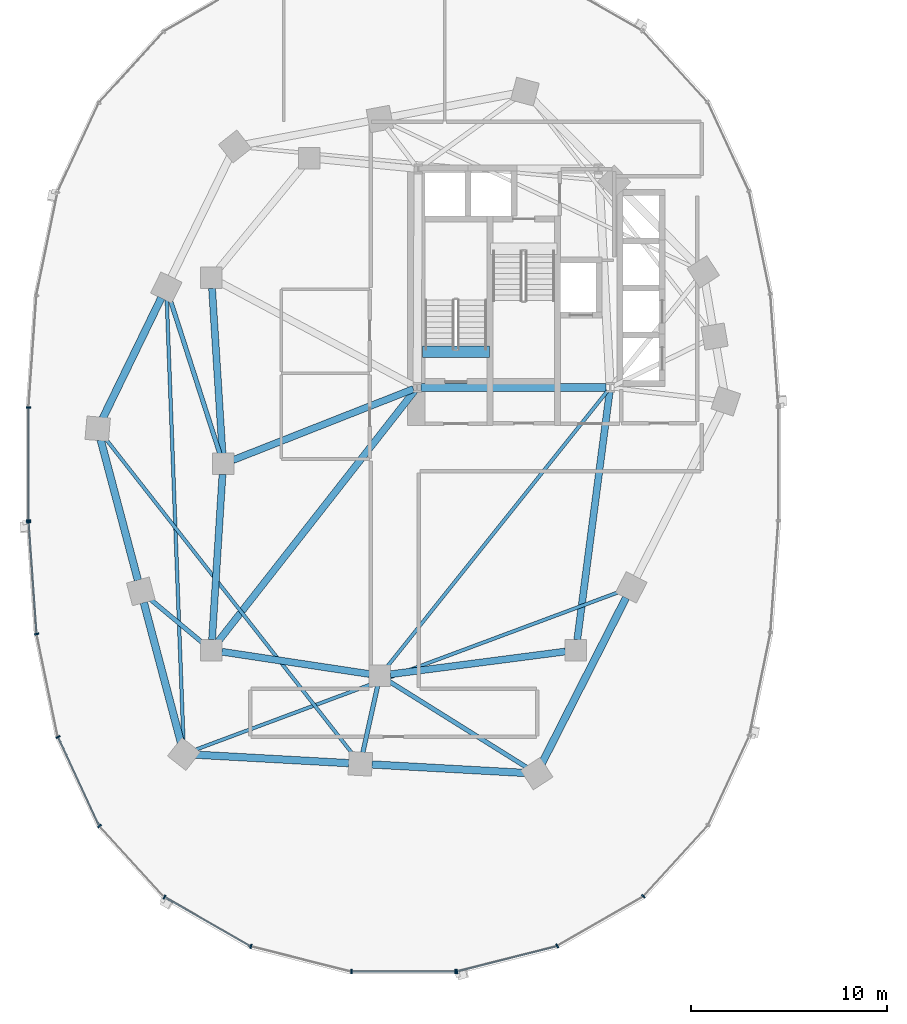
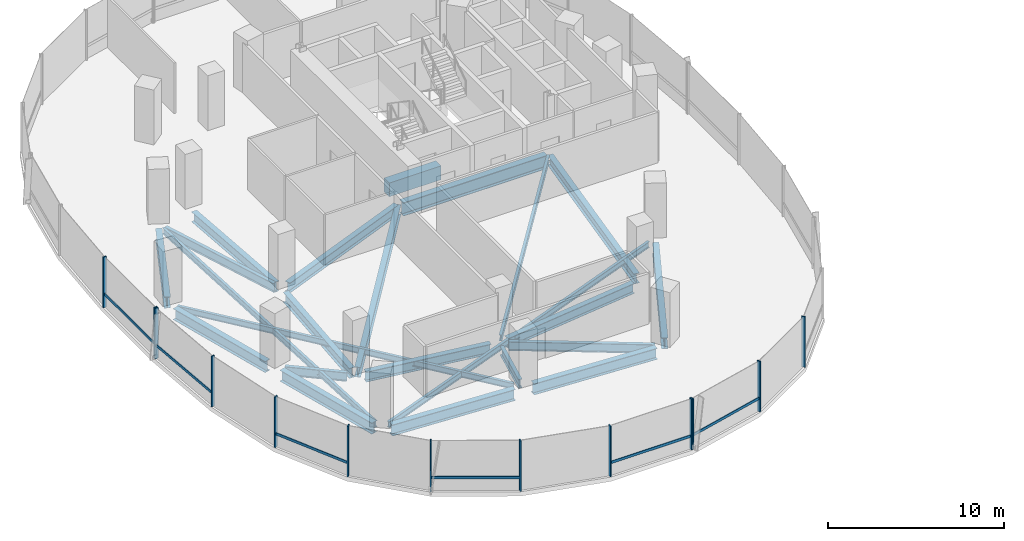
# One storey, part 2 of 21: 23 beams, 19 members, 3 elements without a shape of their own.
"""IFC4 building model written with IfcOpenShell, lengths in metres."""

from ifc_helpers import new_model, si_unit, direction, frame, origin, origin_2d, place, context, subcontext, project, spatial, rectangle, i_section, extrude, material, material_profile, profile_set, type_object, element, aggregate, save


model = new_model("IFC4")

# Units and contexts
model_context = context("Model", 3, precision=1e-05, world=origin(), true_north=direction((0.0, 1.0)))
body_context = subcontext(model_context, "Body", "Model", "MODEL_VIEW")
ifc_project = project(units=[si_unit("LENGTHUNIT", "METRE"), si_unit("AREAUNIT", "SQUARE_METRE"), si_unit("VOLUMEUNIT", "CUBIC_METRE"), si_unit("PLANEANGLEUNIT", "RADIAN"), si_unit("MASSUNIT", "GRAM", prefix="KILO"), si_unit("THERMODYNAMICTEMPERATUREUNIT", "KELVIN"), si_unit("POWERUNIT", "WATT")], contexts=[model_context])

# Site, building, storey
site_placement = place(None, origin())
site = spatial("IfcSite", under=ifc_project, at=site_placement, CompositionType="ELEMENT")
building_placement = place(site_placement, origin())
building = spatial("IfcBuilding", under=site, at=building_placement, Name="Cundina Bronze Exchange", CompositionType="ELEMENT")
storey_placement = place(building_placement, frame((0.0, 0.0, 69.60009765625)))
storey = spatial("IfcBuildingStorey", under=building, at=storey_placement, Name="L17", CompositionType="ELEMENT", Elevation=69.60009765625)

# Beams
ifc_material_1 = material(Name="Concrete C60/75", Category="concrete")
ifc_material_profile_1 = material_profile(ifc_material_1, rectangle(XDim=0.60009765625, YDim=0.949951171875, at=origin_2d()), Name="RC600X950", Category="concrete")
ifc_profile_set_1 = profile_set([ifc_material_profile_1], Name="Concrete C60/75")
beam_type_1 = type_object("IfcBeamType", Name="BM-COUP-RC950", PredefinedType="LINTEL", material=ifc_profile_set_1)
beam_1_placement = place(storey_placement, frame((-31.02001953125, 5.719970703125, -0.47509765625), z_axis=(1.0, 0.0, 0.0), x_axis=(0.0, 1.0, 0.0)))
element("IfcBeam", 1, at=beam_1_placement, inside=storey, type_object=beam_type_1, Name="L17 Stair W1 Landing Header Beam", PredefinedType="LINTEL", context=body_context, shape_type="SweptSolid", body=[
    extrude(rectangle(XDim=0.60009765625, YDim=0.949951171875, at=origin_2d()), origin(), (0.0, 0.0, 1.0), 3.39990234375),
])
ifc_material_2 = material(Name="Steel ASTM A992 Grade 50", Category="steel")
ifc_material_profile_2 = material_profile(ifc_material_2, i_section(OverallWidth=0.22998046875, OverallDepth=0.616943359375, WebThickness=0.01318359375, FlangeThickness=0.022216796875, FilletRadius=0.013916015625, at=origin_2d()), Name="W24X94", Category="steel")
ifc_profile_set_2 = profile_set([ifc_material_profile_2], Name="Steel ASTM A992 Grade 50")
beam_type_2 = type_object("IfcBeamType", Name="BM-FLR-W24B", PredefinedType="BEAM", material=ifc_profile_set_2)
beam_2_placement = place(storey_placement, frame((-41.364990234375, 0.51220703125, -0.608642578125), z_axis=(-0.306706454167, 0.951804155787, 0.0), x_axis=(-0.951804155787, -0.306706454167, 0.0)))
element("IfcBeam", 2, at=beam_2_placement, inside=storey, type_object=beam_type_2, Name="L17 Leg W Radial Floor Beam 07", PredefinedType="BEAM", context=body_context, shape_type="SweptSolid", body=[
    extrude(i_section(OverallWidth=0.22998046875, OverallDepth=0.616943359375, WebThickness=0.01318359375, FlangeThickness=0.022216796875, FilletRadius=0.013916015625, at=origin_2d()), origin(), (0.0, 0.0, 1.0), 8.329345703125),
])
beam_3_placement = place(storey_placement, frame((-42.21337890625, -9.155517578125, -0.608642578125), z_axis=(-0.768221279597, 0.640184399664, 0.0), x_axis=(-0.640184399664, -0.768221279597, 0.0)))
element("IfcBeam", 3, at=beam_3_placement, inside=storey, type_object=beam_type_2, Name="L17 Leg W Radial Floor Beam 09", PredefinedType="BEAM", context=body_context, shape_type="SweptSolid", body=[
    extrude(i_section(OverallWidth=0.22998046875, OverallDepth=0.616943359375, WebThickness=0.01318359375, FlangeThickness=0.022216796875, FilletRadius=0.013916015625, at=origin_2d()), origin(), (0.0, 0.0, 1.0), 3.56005859375),
])
beam_4_placement = place(storey_placement, frame((-33.316650390625, -11.3251953125, -0.608642578125), z_axis=(-0.216960137628, -0.976180464197, 0.0), x_axis=(0.976180464197, -0.216960137628, 0.0)))
element("IfcBeam", 4, at=beam_4_placement, inside=storey, type_object=beam_type_2, Name="L17 Leg W Radial Floor Beam 11", PredefinedType="BEAM", context=body_context, shape_type="SweptSolid", body=[
    extrude(i_section(OverallWidth=0.22998046875, OverallDepth=0.616943359375, WebThickness=0.01318359375, FlangeThickness=0.022216796875, FilletRadius=0.013916015625, at=origin_2d()), origin(), (0.0, 0.0, 1.0), 3.48388671875),
])
beam_5_placement = place(storey_placement, frame((-32.743896484375, -11.085205078125, -0.608642578125), z_axis=(0.848014812458, -0.529972525563, 0.0), x_axis=(0.529972525563, 0.848014812458, 0.0)))
element("IfcBeam", 5, at=beam_5_placement, inside=storey, type_object=beam_type_2, Name="L17 Leg W Radial Floor Beam 12", PredefinedType="BEAM", context=body_context, shape_type="SweptSolid", body=[
    extrude(i_section(OverallWidth=0.22998046875, OverallDepth=0.616943359375, WebThickness=0.01318359375, FlangeThickness=0.022216796875, FilletRadius=0.013916015625, at=origin_2d()), origin(), (0.0, 0.0, 1.0), 8.30810546875),
])
ifc_material_profile_3 = material_profile(ifc_material_2, i_section(OverallWidth=0.178955078125, OverallDepth=0.409912109375, WebThickness=0.0087890625, FlangeThickness=0.014404296875, FilletRadius=0.010986328125, at=origin_2d()), Name="W16X45", Category="steel")
ifc_profile_set_3 = profile_set([ifc_material_profile_3], Name="Steel ASTM A992 Grade 50")
beam_type_3 = type_object("IfcBeamType", Name="BM-JST-W16", PredefinedType="JOIST", material=ifc_profile_set_3)
beam_6_placement = place(storey_placement, frame((-21.577392578125, 3.740478515625, -0.505126953125), z_axis=(-0.62436887964, -0.781129632095, 0.0), x_axis=(0.781129632095, -0.62436887964, 0.0)))
element("IfcBeam", 6, at=beam_6_placement, inside=storey, type_object=beam_type_3, Name="L17 W Interior Core-to-Ring Joist 2", PredefinedType="JOIST", context=body_context, shape_type="SweptSolid", body=[
    extrude(i_section(OverallWidth=0.178955078125, OverallDepth=0.409912109375, WebThickness=0.0087890625, FlangeThickness=0.014404296875, FilletRadius=0.010986328125, at=origin_2d()), origin(), (0.0, 0.0, 1.0), 18.076904296875),
])
beam_7_placement = place(storey_placement, frame((-44.077880859375, 8.412353515625, -0.505126953125), z_axis=(0.037794949147, -0.999285515666, 0.0), x_axis=(0.999285515666, 0.037794949147, 0.0)))
element("IfcBeam", 7, at=beam_7_placement, inside=storey, type_object=beam_type_3, Name="L17 Leg W Lobe Floor Joist 07-10", PredefinedType="JOIST", context=body_context, shape_type="SweptSolid", body=[
    extrude(i_section(OverallWidth=0.178955078125, OverallDepth=0.409912109375, WebThickness=0.0087890625, FlangeThickness=0.014404296875, FilletRadius=0.010986328125, at=origin_2d()), origin(), (0.0, 0.0, 1.0), 22.640869140625),
])
beam_8_placement = place(storey_placement, frame((-47.2373046875, 1.337158203125, -0.505126953125), z_axis=(0.616803089524, -0.787117493614, 0.0), x_axis=(0.787117493614, 0.616803089524, 0.0)))
element("IfcBeam", 8, at=beam_8_placement, inside=storey, type_object=beam_type_3, Name="L17 Leg W Lobe Floor Joist 08-11", PredefinedType="JOIST", context=body_context, shape_type="SweptSolid", body=[
    extrude(i_section(OverallWidth=0.178955078125, OverallDepth=0.409912109375, WebThickness=0.0087890625, FlangeThickness=0.014404296875, FilletRadius=0.010986328125, at=origin_2d()), origin(), (0.0, 0.0, 1.0), 20.548828125),
])
beam_9_placement = place(storey_placement, frame((-42.64892578125, -14.5947265625, -0.505126953125), z_axis=(0.937127912449, 0.348986068074, 0.0), x_axis=(-0.348986068074, 0.937127912449, 0.0)))
element("IfcBeam", 9, at=beam_9_placement, inside=storey, type_object=beam_type_3, Name="L17 Leg W Lobe Floor Joist 10-13", PredefinedType="JOIST", context=body_context, shape_type="SweptSolid", body=[
    extrude(i_section(OverallWidth=0.178955078125, OverallDepth=0.409912109375, WebThickness=0.0087890625, FlangeThickness=0.014404296875, FilletRadius=0.010986328125, at=origin_2d()), origin(), (0.0, 0.0, 1.0), 23.18017578125),
])
ifc_material_profile_4 = material_profile(ifc_material_2, i_section(OverallWidth=0.35498046875, OverallDepth=0.695068359375, WebThickness=0.015380859375, FlangeThickness=0.02490234375, FilletRadius=0.01806640625, at=origin_2d()), Name="W27X146", Category="steel")
ifc_profile_set_4 = profile_set([ifc_material_profile_4], Name="Steel ASTM A992 Grade 50")
beam_type_4 = type_object("IfcBeamType", Name="BM-RING-W27", PredefinedType="USERDEFINED", material=ifc_profile_set_4)
for number, where, z_axis, x_axis, name in (
    (10, (-41.76611328125, 8.963134765625, -0.647705078125), (0.06303715519, -0.998011180832, 0.0), (0.998011180832, 0.06303715519, 0.0), "L17 W Inner Structural Ring Girder 03"),
    (11, (-41.23388671875, -0.536865234375, -0.647705078125), (-0.06303715519, -0.998011180832, 0.0), (0.998011180832, -0.06303715519, 0.0), "L17 W Inner Structural Ring Girder 04"),
):
    element("IfcBeam", number, at=place(storey_placement, frame(where, z_axis=z_axis, x_axis=x_axis)), inside=storey, type_object=beam_type_4, Name=name, ObjectType="GIRDER", PredefinedType="USERDEFINED", context=body_context, shape_type="SweptSolid", body=[
        extrude(i_section(OverallWidth=0.35498046875, OverallDepth=0.695068359375, WebThickness=0.015380859375, FlangeThickness=0.02490234375, FilletRadius=0.01806640625, at=origin_2d()), origin(), (0.0, 0.0, 1.0), 8.443115234375),
    ])
beam_10_placement = place(storey_placement, frame((-41.26806640625, -9.580322265625, -0.647705078125), z_axis=(0.988767489563, -0.149461873341, 0.0), x_axis=(0.149461873341, 0.988767489563, 0.0)))
element("IfcBeam", 12, at=beam_10_placement, inside=storey, type_object=beam_type_4, Name="L17 W Inner Structural Ring Girder 05", ObjectType="GIRDER", PredefinedType="USERDEFINED", context=body_context, shape_type="SweptSolid", body=[
    extrude(i_section(OverallWidth=0.35498046875, OverallDepth=0.695068359375, WebThickness=0.015380859375, FlangeThickness=0.02490234375, FilletRadius=0.01806640625, at=origin_2d()), origin(), (0.0, 0.0, 1.0), 7.621826171875),
])
beam_11_placement = place(storey_placement, frame((-32.66650390625, -10.730712890625, -0.647705078125), z_axis=(0.991654577907, 0.128923225666, 0.0), x_axis=(-0.128923225666, 0.991654577907, 0.0)))
element("IfcBeam", 13, at=beam_11_placement, inside=storey, type_object=beam_type_4, Name="L17 W Inner Structural Ring Girder 06", ObjectType="GIRDER", PredefinedType="USERDEFINED", context=body_context, shape_type="SweptSolid", body=[
    extrude(i_section(OverallWidth=0.35498046875, OverallDepth=0.695068359375, WebThickness=0.015380859375, FlangeThickness=0.02490234375, FilletRadius=0.01806640625, at=origin_2d()), origin(), (0.0, 0.0, 1.0), 9.00830078125),
])
beam_12_placement = place(storey_placement, frame((-23.13037109375, -8.966552734375, -0.647705078125), z_axis=(0.129507526533, 0.99157843894, 0.0), x_axis=(-0.99157843894, 0.129507526533, 0.0)))
element("IfcBeam", 14, at=beam_12_placement, inside=storey, type_object=beam_type_4, Name="L17 W Inner Structural Ring Girder 07", ObjectType="GIRDER", PredefinedType="USERDEFINED", context=body_context, shape_type="SweptSolid", body=[
    extrude(i_section(OverallWidth=0.35498046875, OverallDepth=0.695068359375, WebThickness=0.015380859375, FlangeThickness=0.02490234375, FilletRadius=0.01806640625, at=origin_2d()), origin(), (0.0, 0.0, 1.0), 12.77197265625),
])
beam_13_placement = place(storey_placement, frame((-31.48974609375, 3.8251953125, -0.647705078125), z_axis=(-0.930413235418, -0.366512225388, 0.0), x_axis=(0.366512225388, -0.930413235418, 0.0)))
element("IfcBeam", 15, at=beam_13_placement, inside=storey, type_object=beam_type_4, Name="L17 W Core-to-Waist Tie Beam 1", ObjectType="GIRDER", PredefinedType="USERDEFINED", context=body_context, shape_type="SweptSolid", body=[
    extrude(i_section(OverallWidth=0.35498046875, OverallDepth=0.695068359375, WebThickness=0.015380859375, FlangeThickness=0.02490234375, FilletRadius=0.01806640625, at=origin_2d()), origin(), (0.0, 0.0, 1.0), 9.8984375),
])
beam_14_placement = place(storey_placement, frame((-31.42578125, 3.739501953125, -0.647705078125), z_axis=(-0.616789275748, -0.787128318206, 0.0), x_axis=(0.787128318206, -0.616789275748, 0.0)))
element("IfcBeam", 16, at=beam_14_placement, inside=storey, type_object=beam_type_4, Name="L17 W Core-to-Waist Tie Beam 3", ObjectType="GIRDER", PredefinedType="USERDEFINED", context=body_context, shape_type="SweptSolid", body=[
    extrude(i_section(OverallWidth=0.35498046875, OverallDepth=0.695068359375, WebThickness=0.015380859375, FlangeThickness=0.02490234375, FilletRadius=0.01806640625, at=origin_2d()), origin(), (0.0, 0.0, 1.0), 16.281982421875),
])
ifc_material_profile_5 = material_profile(ifc_material_2, i_section(OverallWidth=0.381103515625, OverallDepth=0.77294921875, WebThickness=0.0166015625, FlangeThickness=0.027099609375, FilletRadius=0.01904296875, at=origin_2d()), Name="W30X173", Category="steel")
ifc_profile_set_5 = profile_set([ifc_material_profile_5], Name="Steel ASTM A992 Grade 50")
beam_type_5 = type_object("IfcBeamType", Name="BM-RING-W30", PredefinedType="USERDEFINED", material=ifc_profile_set_5)
beam_15_placement = place(storey_placement, frame((-44.357177734375, 8.47119140625, -0.6865234375), z_axis=(-0.437190698904, -0.899368830231, 0.0), x_axis=(0.899368830231, -0.437190698904, 0.0)))
element("IfcBeam", 17, at=beam_15_placement, inside=storey, type_object=beam_type_5, Name="L17 W Perimeter Ring Girder 07", ObjectType="GIRDER", PredefinedType="USERDEFINED", context=body_context, shape_type="SweptSolid", body=[
    extrude(i_section(OverallWidth=0.381103515625, OverallDepth=0.77294921875, WebThickness=0.0166015625, FlangeThickness=0.027099609375, FilletRadius=0.01904296875, at=origin_2d()), origin(), (0.0, 0.0, 1.0), 6.82958984375),
])
for number, where, z_axis, x_axis, name in (
    (18, (-47.44921875, 1.231689453125, -0.6865234375), (0.256177785604, -0.966629682021, 0.0), (0.966629682021, 0.256177785604, 0.0), "L17 W Perimeter Ring Girder 08"),
    (19, (-45.249267578125, -7.068359375, -0.6865234375), (0.256208567826, -0.966621523541, 0.0), (0.966621523541, 0.256208567826, 0.0), "L17 W Perimeter Ring Girder 09"),
):
    element("IfcBeam", number, at=place(storey_placement, frame(where, z_axis=z_axis, x_axis=x_axis)), inside=storey, type_object=beam_type_5, Name=name, ObjectType="GIRDER", PredefinedType="USERDEFINED", context=body_context, shape_type="SweptSolid", body=[
        extrude(i_section(OverallWidth=0.381103515625, OverallDepth=0.77294921875, WebThickness=0.0166015625, FlangeThickness=0.027099609375, FilletRadius=0.01904296875, at=origin_2d()), origin(), (0.0, 0.0, 1.0), 7.41064453125),
    ])
for number, where, z_axis, x_axis, name in (
    (20, (-42.61279296875, -14.83251953125, -0.6865234375), (0.998459969805, -0.055476920391, 0.0), (0.055476920391, 0.998459969805, 0.0), "L17 W Perimeter Ring Girder 10"),
    (21, (-33.61279296875, -15.33251953125, -0.6865234375), (0.998459969805, -0.055476920391, 0.0), (0.055476920391, 0.998459969805, 0.0), "L17 W Perimeter Ring Girder 11"),
):
    element("IfcBeam", number, at=place(storey_placement, frame(where, z_axis=z_axis, x_axis=x_axis)), inside=storey, type_object=beam_type_5, Name=name, ObjectType="GIRDER", PredefinedType="USERDEFINED", context=body_context, shape_type="SweptSolid", body=[
        extrude(i_section(OverallWidth=0.381103515625, OverallDepth=0.77294921875, WebThickness=0.0166015625, FlangeThickness=0.027099609375, FilletRadius=0.01904296875, at=origin_2d()), origin(), (0.0, 0.0, 1.0), 7.837646484375),
    ])
beam_16_placement = place(storey_placement, frame((-24.93359375, -15.275634765625, -0.6865234375), z_axis=(0.452819633606, 0.891602141889, 0.0), x_axis=(-0.891602141889, 0.452819633606, 0.0)))
element("IfcBeam", 22, at=beam_16_placement, inside=storey, type_object=beam_type_5, Name="L17 W Perimeter Ring Girder 12", ObjectType="GIRDER", PredefinedType="USERDEFINED", context=body_context, shape_type="SweptSolid", body=[
    extrude(i_section(OverallWidth=0.381103515625, OverallDepth=0.77294921875, WebThickness=0.0166015625, FlangeThickness=0.027099609375, FilletRadius=0.01904296875, at=origin_2d()), origin(), (0.0, 0.0, 1.0), 9.47900390625),
])
ifc_material_profile_6 = material_profile(ifc_material_2, i_section(OverallWidth=0.41796875, OverallDepth=0.927001953125, WebThickness=0.019287109375, FlangeThickness=0.031982421875, FilletRadius=0.02392578125, at=origin_2d()), Name="W36X231", Category="steel")
ifc_profile_set_6 = profile_set([ifc_material_profile_6], Name="Steel ASTM A992 Grade 50")
beam_type_6 = type_object("IfcBeamType", Name="BM-WRN-W36B", PredefinedType="USERDEFINED", material=ifc_profile_set_6)
beam_17_placement = place(storey_placement, frame((-31.095947265625, 3.89990234375, -0.763671875), z_axis=(1.0, 0.0, 0.0), x_axis=(0.0, 1.0, 0.0)))
element("IfcBeam", 23, at=beam_17_placement, inside=storey, type_object=beam_type_6, Name="L17 W Core Perimeter Tie Girder 1", ObjectType="GIRDER", PredefinedType="USERDEFINED", context=body_context, shape_type="SweptSolid", body=[
    extrude(i_section(OverallWidth=0.41796875, OverallDepth=0.927001953125, WebThickness=0.019287109375, FlangeThickness=0.031982421875, FilletRadius=0.02392578125, at=origin_2d()), origin(), (0.0, 0.0, 1.0), 9.44189453125),
])

# Curtain wall, members
ifc_material_3 = material(Name="Anodised Bronze Aluminium 6063-T6", Category="aluminium")
curtain_wall_type = type_object("IfcCurtainWallType", Name="CWS-TRD-LOW", PredefinedType="NOTDEFINED", material=ifc_material_3)
curtain_wall_1_placement = place(storey_placement, origin())
curtain_wall_1 = element("IfcCurtainWall", 24, at=curtain_wall_1_placement, inside=storey, type_object=curtain_wall_type, Name="L17 CW-02 Curtain Wall Run CWR-L17-W2", PredefinedType="NOTDEFINED")
ifc_material_profile_7 = material_profile(ifc_material_3, rectangle(XDim=0.074951171875, YDim=0.219970703125, at=origin_2d()), Name="AL75X220", Category="aluminium")
ifc_profile_set_7 = profile_set([ifc_material_profile_7], Name="Anodised Bronze Aluminium 6063-T6")
member_type_1 = type_object("IfcMemberType", Name="CWM-MUL-220", PredefinedType="MULLION", material=ifc_profile_set_7)
member_1_placement = place(storey_placement, frame((-51.1279296875, 2.880615234375, 0.0), z_axis=(0.0, 0.0, 1.0), x_axis=(0.0, -1.0, 0.0)))
member_1 = element("IfcMember", 25, at=member_1_placement, type_object=member_type_1, Name="CW-02 Mullion 7", PredefinedType="MULLION", context=body_context, shape_type="SweptSolid", body=[
    extrude(rectangle(XDim=0.074951171875, YDim=0.219970703125, at=origin_2d()), origin(), (0.0, 0.0, 1.0), 3.5),
])
member_2_placement = place(storey_placement, frame((-51.1279296875, -2.880615234375, 0.0), z_axis=(0.0, 0.0, 1.0), x_axis=(0.0, -1.0, 0.0)))
member_2 = element("IfcMember", 26, at=member_2_placement, type_object=member_type_1, Name="CW-02 End Mullion", PredefinedType="MULLION", context=body_context, shape_type="SweptSolid", body=[
    extrude(rectangle(XDim=0.074951171875, YDim=0.219970703125, at=origin_2d()), origin(), (0.0, 0.0, 1.0), 3.5),
])

curtain_wall_2_placement = place(storey_placement, origin())
curtain_wall_2 = element("IfcCurtainWall", 27, at=curtain_wall_2_placement, inside=storey, type_object=curtain_wall_type, Name="L17 CW-02 Curtain Wall Run CWR-L17-W3", PredefinedType="NOTDEFINED")
member_3_placement = place(storey_placement, frame((-51.12451171875, -2.976318359375, 0.0), z_axis=(0.0, 0.0, 1.0), x_axis=(0.070278787473, -0.997527389113, 0.0)))
member_3 = element("IfcMember", 28, at=member_3_placement, type_object=member_type_1, Name="CW-02 Mullion 1", PredefinedType="MULLION", context=body_context, shape_type="SweptSolid", body=[
    extrude(rectangle(XDim=0.074951171875, YDim=0.219970703125, at=origin_2d()), origin(), (0.0, 0.0, 1.0), 3.5),
])
member_4_placement = place(storey_placement, frame((-50.717041015625, -8.67822265625, 0.0), z_axis=(0.0, 0.0, 1.0), x_axis=(0.201419845156, -0.979505000486, 0.0)))
member_4 = element("IfcMember", 29, at=member_4_placement, type_object=member_type_1, Name="CW-02 Mullion 2", PredefinedType="MULLION", context=body_context, shape_type="SweptSolid", body=[
    extrude(rectangle(XDim=0.074951171875, YDim=0.219970703125, at=origin_2d()), origin(), (0.0, 0.0, 1.0), 3.5),
])
member_5_placement = place(storey_placement, frame((-49.6279296875, -13.931884765625, 0.0), z_axis=(0.0, 0.0, 1.0), x_axis=(0.42087749791, -0.907117485088, 0.0)))
member_5 = element("IfcMember", 30, at=member_5_placement, type_object=member_type_1, Name="CW-02 Mullion 3", PredefinedType="MULLION", context=body_context, shape_type="SweptSolid", body=[
    extrude(rectangle(XDim=0.074951171875, YDim=0.219970703125, at=origin_2d()), origin(), (0.0, 0.0, 1.0), 3.5),
])
member_6_placement = place(storey_placement, frame((-47.508544921875, -18.47705078125, 0.0), z_axis=(0.0, 0.0, 1.0), x_axis=(0.674302387584, -0.738455340626, 0.0)))
member_6 = element("IfcMember", 31, at=member_6_placement, type_object=member_type_1, Name="CW-02 Mullion 4", PredefinedType="MULLION", context=body_context, shape_type="SweptSolid", body=[
    extrude(rectangle(XDim=0.074951171875, YDim=0.219970703125, at=origin_2d()), origin(), (0.0, 0.0, 1.0), 3.5),
])
member_7_placement = place(storey_placement, frame((-44.189697265625, -22.097412109375, 0.0), z_axis=(0.0, 0.0, 1.0), x_axis=(0.867070701164, -0.498185105339, 0.0)))
member_7 = element("IfcMember", 32, at=member_7_placement, type_object=member_type_1, Name="CW-02 Mullion 5", PredefinedType="MULLION", context=body_context, shape_type="SweptSolid", body=[
    extrude(rectangle(XDim=0.074951171875, YDim=0.219970703125, at=origin_2d()), origin(), (0.0, 0.0, 1.0), 3.5),
])
member_8_placement = place(storey_placement, frame((-39.78515625, -24.61669921875, 0.0), z_axis=(0.0, 0.0, 1.0), x_axis=(0.969488149345, -0.245138182011, 0.0)))
member_8 = element("IfcMember", 33, at=member_8_placement, type_object=member_type_1, Name="CW-02 Mullion 6", PredefinedType="MULLION", context=body_context, shape_type="SweptSolid", body=[
    extrude(rectangle(XDim=0.074951171875, YDim=0.219970703125, at=origin_2d()), origin(), (0.0, 0.0, 1.0), 3.5),
])
member_9_placement = place(storey_placement, frame((-34.654541015625, -25.905029296875, 0.0), z_axis=(0.0, 0.0, 1.0), x_axis=(1.0, 0.0, 0.0)))
member_9 = element("IfcMember", 34, at=member_9_placement, type_object=member_type_1, Name="CW-02 Mullion 7", PredefinedType="MULLION", context=body_context, shape_type="SweptSolid", body=[
    extrude(rectangle(XDim=0.074951171875, YDim=0.219970703125, at=origin_2d()), origin(), (0.0, 0.0, 1.0), 3.5),
])
member_10_placement = place(storey_placement, frame((-29.345458984375, -25.905029296875, 0.0), z_axis=(0.0, 0.0, 1.0), x_axis=(1.0, 0.0, 0.0)))
member_10 = element("IfcMember", 35, at=member_10_placement, type_object=member_type_1, Name="CW-02 End Mullion", PredefinedType="MULLION", context=body_context, shape_type="SweptSolid", body=[
    extrude(rectangle(XDim=0.074951171875, YDim=0.219970703125, at=origin_2d()), origin(), (0.0, 0.0, 1.0), 3.5),
])

curtain_wall_3_placement = place(storey_placement, origin())
curtain_wall_3 = element("IfcCurtainWall", 36, at=curtain_wall_3_placement, inside=storey, type_object=curtain_wall_type, Name="L17 CW-02 Curtain Wall Run CWR-L17-W4", PredefinedType="NOTDEFINED")
member_11_placement = place(storey_placement, frame((-29.27392578125, -25.89599609375, 0.0), z_axis=(0.0, 0.0, 1.0), x_axis=(0.969488149345, 0.245138182011, 0.0)))
member_11 = element("IfcMember", 37, at=member_11_placement, type_object=member_type_1, Name="CW-02 Mullion 1", PredefinedType="MULLION", context=body_context, shape_type="SweptSolid", body=[
    extrude(rectangle(XDim=0.074951171875, YDim=0.219970703125, at=origin_2d()), origin(), (0.0, 0.0, 1.0), 3.5),
])
member_12_placement = place(storey_placement, frame((-24.151123046875, -24.591064453125, 0.0), z_axis=(0.0, 0.0, 1.0), x_axis=(0.867070701164, 0.498185105339, 0.0)))
member_12 = element("IfcMember", 38, at=member_12_placement, type_object=member_type_1, Name="CW-02 Mullion 2", PredefinedType="MULLION", context=body_context, shape_type="SweptSolid", body=[
    extrude(rectangle(XDim=0.074951171875, YDim=0.219970703125, at=origin_2d()), origin(), (0.0, 0.0, 1.0), 3.5),
])
member_13_placement = place(storey_placement, frame((-19.760498046875, -22.0576171875, 0.0), z_axis=(0.0, 0.0, 1.0), x_axis=(0.674302387584, 0.738455340626, 0.0)))
member_13 = element("IfcMember", 39, at=member_13_placement, type_object=member_type_1, Name="CW-02 Mullion 3", PredefinedType="MULLION", context=body_context, shape_type="SweptSolid", body=[
    extrude(rectangle(XDim=0.074951171875, YDim=0.219970703125, at=origin_2d()), origin(), (0.0, 0.0, 1.0), 3.5),
])

# Member
ifc_material_profile_8 = material_profile(ifc_material_3, rectangle(XDim=0.070068359375, YDim=0.179931640625, at=origin_2d()), Name="AL70X180", Category="aluminium")
ifc_profile_set_8 = profile_set([ifc_material_profile_8], Name="Anodised Bronze Aluminium 6063-T6")
member_type_2 = type_object("IfcMemberType", Name="CWM-TRN-180", PredefinedType="USERDEFINED", material=ifc_profile_set_8)
member_14_placement = place(storey_placement, frame((-51.1279296875, 2.839111328125, 0.919921875), z_axis=(0.0, -1.0, 0.0), x_axis=(1.0, 0.0, 0.0)))
member_14 = element("IfcMember", 40, at=member_14_placement, type_object=member_type_2, Name="CW-02 Spandrel Transom 7", ObjectType="TRANSOM", PredefinedType="USERDEFINED", context=body_context, shape_type="SweptSolid", body=[
    extrude(rectangle(XDim=0.070068359375, YDim=0.179931640625, at=origin_2d()), origin(), (0.0, 0.0, 1.0), 5.67822265625),
])

aggregate(curtain_wall_1, [member_1, member_2, member_14])

member_15_placement = place(storey_placement, frame((-51.12158203125, -3.017333984375, 0.919921875), z_axis=(0.070260714471, -0.997528662246, 0.0), x_axis=(0.997528662246, 0.070260714471, 0.0)))
member_15 = element("IfcMember", 41, at=member_15_placement, type_object=member_type_2, Name="CW-02 Spandrel Transom 1", ObjectType="TRANSOM", PredefinedType="USERDEFINED", context=body_context, shape_type="SweptSolid", body=[
    extrude(rectangle(XDim=0.070068359375, YDim=0.179931640625, at=origin_2d()), origin(), (0.0, 0.0, 1.0), 5.629150390625),
])

member_16_placement = place(storey_placement, frame((-49.610595703125, -13.96923828125, 0.919921875), z_axis=(0.420811422796, -0.907148139195, 0.0), x_axis=(0.907148139195, 0.420811422796, 0.0)))
member_16 = element("IfcMember", 42, at=member_16_placement, type_object=member_type_2, Name="CW-02 Spandrel Transom 3", ObjectType="TRANSOM", PredefinedType="USERDEFINED", context=body_context, shape_type="SweptSolid", body=[
    extrude(rectangle(XDim=0.070068359375, YDim=0.179931640625, at=origin_2d()), origin(), (0.0, 0.0, 1.0), 4.95166015625),
])

member_17_placement = place(storey_placement, frame((-44.154052734375, -22.117919921875, 0.919921875), z_axis=(0.867097475651, -0.498138502546, 0.0), x_axis=(0.498138502546, 0.867097475651, 0.0)))
member_17 = element("IfcMember", 43, at=member_17_placement, type_object=member_type_2, Name="CW-02 Spandrel Transom 5", ObjectType="TRANSOM", PredefinedType="USERDEFINED", context=body_context, shape_type="SweptSolid", body=[
    extrude(rectangle(XDim=0.070068359375, YDim=0.179931640625, at=origin_2d()), origin(), (0.0, 0.0, 1.0), 5.00634765625),
])

member_18_placement = place(storey_placement, frame((-34.61328125, -25.905029296875, 0.919921875), z_axis=(1.0, 0.0, 0.0), x_axis=(0.0, 1.0, 0.0)))
member_18 = element("IfcMember", 44, at=member_18_placement, type_object=member_type_2, Name="CW-02 Spandrel Transom 7", ObjectType="TRANSOM", PredefinedType="USERDEFINED", context=body_context, shape_type="SweptSolid", body=[
    extrude(rectangle(XDim=0.070068359375, YDim=0.179931640625, at=origin_2d()), origin(), (0.0, 0.0, 1.0), 5.2265625),
])

aggregate(curtain_wall_2, [member_3, member_15, member_4, member_5, member_16, member_6, member_7, member_17, member_8, member_9, member_10, member_18])

member_19_placement = place(storey_placement, frame((-29.23388671875, -25.885986328125, 0.919921875), z_axis=(0.969483968866, 0.245154714644, 0.0), x_axis=(-0.245154714644, 0.969483968866, 0.0)))
member_19 = element("IfcMember", 45, at=member_19_placement, type_object=member_type_2, Name="CW-02 Spandrel Transom 1", ObjectType="TRANSOM", PredefinedType="USERDEFINED", context=body_context, shape_type="SweptSolid", body=[
    extrude(rectangle(XDim=0.070068359375, YDim=0.179931640625, at=origin_2d()), origin(), (0.0, 0.0, 1.0), 5.21826171875),
])

aggregate(curtain_wall_3, [member_11, member_19, member_12, member_13])

save(model, "model.ifc")
